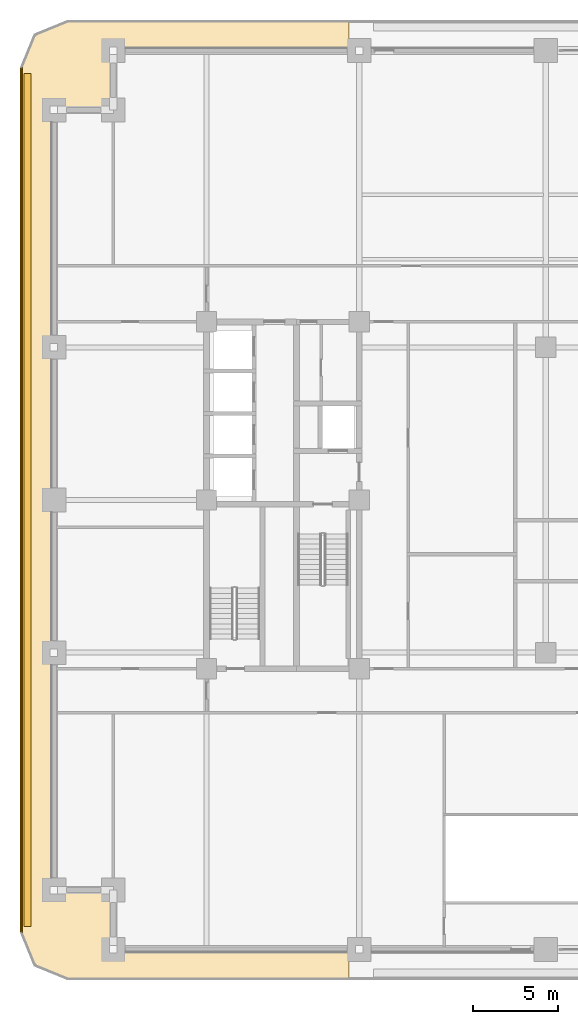
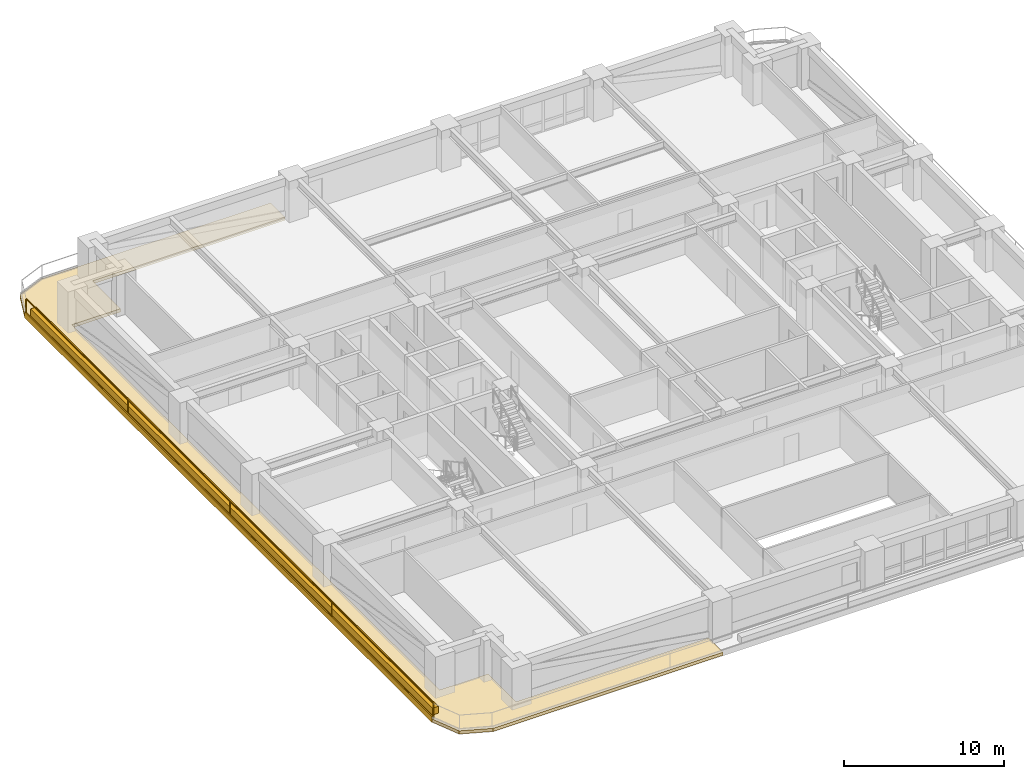
# One storey, part 13 of 18: 3 coverings, 1 railing.
"""IFC4 building model written with IfcOpenShell, lengths in metres."""

from ifc_helpers import new_model, si_unit, direction, frame, frame_2d, origin, origin_2d, place, context, subcontext, project, spatial, polyline, rectangle, outline, extrude, material, layer, layer_set, type_object, element, save


model = new_model("IFC4")

# Units and contexts
model_context = context("Model", 3, precision=1e-05, world=origin(), true_north=direction((0.0, 1.0)))
body_context = subcontext(model_context, "Body", "Model", "MODEL_VIEW")
ifc_project = project(units=[si_unit("LENGTHUNIT", "METRE"), si_unit("AREAUNIT", "SQUARE_METRE"), si_unit("VOLUMEUNIT", "CUBIC_METRE"), si_unit("PLANEANGLEUNIT", "RADIAN"), si_unit("MASSUNIT", "GRAM", prefix="KILO")], contexts=[model_context])

# Site, building, storey
site_placement = place(None, origin())
site = spatial("IfcSite", under=ifc_project, at=site_placement, CompositionType="ELEMENT")
building_placement = place(site_placement, origin())
building = spatial("IfcBuilding", under=site, at=building_placement, Name="Zulmaris Gate Convention Tower", CompositionType="ELEMENT")
storey_placement = place(building_placement, frame((0.0, 0.0, 78.60986328125)))
storey = spatial("IfcBuildingStorey", under=building, at=storey_placement, Name="L19", CompositionType="ELEMENT", Elevation=78.60986328125)

# Coverings
ifc_material_1 = material(Name="White Glazed Architectural Precast Concrete C40/50", Category="concrete")
ifc_layer_1 = layer(ifc_material_1, 0.239990234375, Name="White Glazed Architectural Precast Concrete C40/50")
ifc_layer_set_1 = layer_set([ifc_layer_1], Name="White Glazed Architectural Precast Concrete C40/50")
covering_type_1 = type_object("IfcCoveringType", Name="CLAD-TRAY-DECK", PredefinedType="CLADDING", material=ifc_layer_set_1)
covering_1_placement = place(storey_placement, frame((0.0, 0.0, -0.25)))
element("IfcCovering", 1, at=covering_1_placement, inside=storey, type_object=covering_type_1, Name="L19 West Rounded-Fascia Planter Tray Deck", PredefinedType="CLADDING", context=body_context, shape_type="SweptSolid", body=[
    extrude(outline(polyline([(-31.0, 25.5), (-30.179931640625, 27.47998046875), (-28.199951171875, 28.300048828125), (-11.60205078125, 28.300048828125), (-11.60205078125, 26.5), (-25.5, 26.5), (-25.5, 23.0), (-29.0, 23.0), (-29.0, -23.0), (-25.5, -23.0), (-25.5, -26.5), (-11.60205078125, -26.5), (-11.60205078125, -28.300048828125), (-28.199951171875, -28.300048828125), (-30.179931640625, -27.47998046875), (-31.0, -25.5), (-31.0, 25.5)])), origin(), (0.0, 0.0, 1.0), 0.239990234375),
])
ifc_layer_2 = layer(ifc_material_1, 0.080078125, Name="White Glazed Architectural Precast Concrete C40/50")
ifc_layer_set_2 = layer_set([ifc_layer_2], Name="White Glazed Architectural Precast Concrete C40/50")
covering_type_2 = type_object("IfcCoveringType", Name="CLAD-TRAY-FASCIA", PredefinedType="CLADDING", material=ifc_layer_set_2)
covering_2_placement = place(storey_placement, frame((-30.9599609375, 25.5, -0.2900390625), z_axis=(0.0, 0.0, 1.0), x_axis=(0.0, -1.0, 0.0)))
element("IfcCovering", 2, at=covering_2_placement, inside=storey, type_object=covering_type_2, Name="FSC-L19-TR-11", PredefinedType="CLADDING", context=body_context, shape_type="SweptSolid", body=[
    extrude(rectangle(XDim=51.0, YDim=0.080078125, at=frame_2d((25.5, 0.0))), origin(), (0.0, 0.0, 1.0), 0.440185546875),
])
ifc_material_2 = material(Name="Botanical Green Glazed Precast Concrete C40/50", Category="concrete")
ifc_layer_3 = layer(ifc_material_2, 0.419921875, Name="Botanical Green Glazed Precast Concrete C40/50")
ifc_layer_set_3 = layer_set([ifc_layer_3], Name="Botanical Green Glazed Precast Concrete C40/50")
covering_type_3 = type_object("IfcCoveringType", Name="PLANTER-BOX-200", PredefinedType="CLADDING", material=ifc_layer_set_3)
covering_3_placement = place(storey_placement, frame((0.0, 0.0, -0.010009765625)))
element("IfcCovering", 3, at=covering_3_placement, inside=storey, type_object=covering_type_3, Name="L19 W Full-Length Balcony Tree Planter Trough", PredefinedType="CLADDING", context=body_context, shape_type="SweptSolid", body=[
    extrude(outline(polyline([(-30.760009765625, -25.14990234375), (-30.340087890625, -25.14990234375), (-30.340087890625, 25.14990234375), (-30.760009765625, 25.14990234375), (-30.760009765625, -25.14990234375)])), origin(), (0.0, 0.0, 1.0), 0.52001953125),
])

# Railing
ifc_material_3 = material(Name="Laminated Glass and Stainless Steel", Category="steel")
railing_type = type_object("IfcRailingType", Name="RL-BALC-1150", PredefinedType="BALUSTRADE", material=ifc_material_3)
railing_placement = place(storey_placement, frame((-30.8798828125, 25.5, -0.010009765625)))
element("IfcRailing", 4, at=railing_placement, inside=storey, type_object=railing_type, Name="RL-L19-BALC-W", PredefinedType="BALUSTRADE", context=body_context, shape_type="SweptSolid", body=[
    extrude(rectangle(XDim=0.048095703125, YDim=0.048095703125, at=origin_2d()), frame((0.0, 0.0, 1.1259765625), z_axis=(0.0, -1.0, 0.0), x_axis=(1.0, 0.0, 0.0)), (0.0, 0.0, 1.0), 51.0),
    extrude(rectangle(XDim=0.048095703125, YDim=0.048095703125, at=origin_2d()), frame((0.0, 0.0, 0.02392578125), z_axis=(0.0, -1.0, 0.0), x_axis=(1.0, 0.0, 0.0)), (0.0, 0.0, 1.0), 51.0),
    extrude(rectangle(XDim=0.0419921875, YDim=0.0419921875, at=origin_2d()), origin(), (0.0, 0.0, 1.0), 1.101806640625),
    extrude(rectangle(XDim=0.0419921875, YDim=0.0419921875, at=origin_2d()), frame((0.0, -12.75, 0.0)), (0.0, 0.0, 1.0), 1.101806640625),
    extrude(rectangle(XDim=0.0419921875, YDim=0.0419921875, at=origin_2d()), frame((0.0, -25.5, 0.0)), (0.0, 0.0, 1.0), 1.101806640625),
    extrude(rectangle(XDim=0.0419921875, YDim=0.0419921875, at=origin_2d()), frame((0.0, -38.25, 0.0)), (0.0, 0.0, 1.0), 1.101806640625),
    extrude(rectangle(XDim=0.0419921875, YDim=0.0419921875, at=origin_2d()), frame((0.0, -51.0, 0.0)), (0.0, 0.0, 1.0), 1.101806640625),
])

save(model, "model.ifc")
